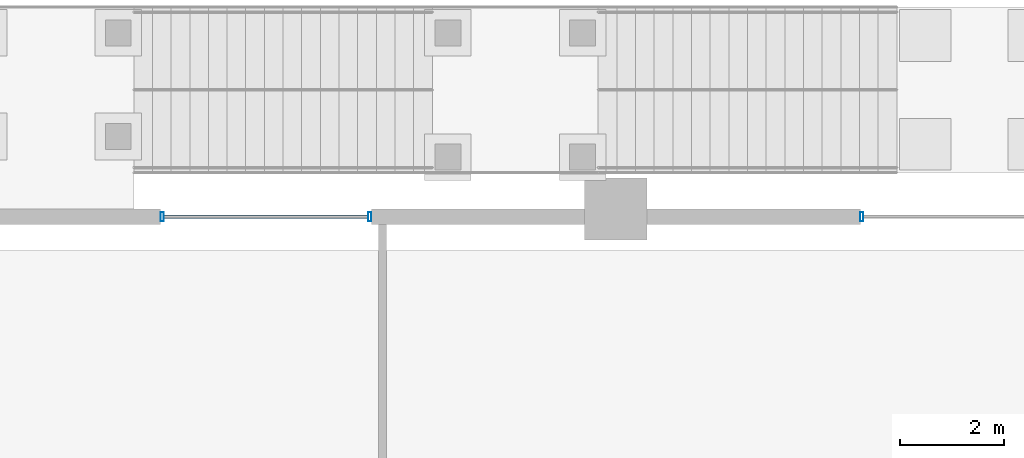
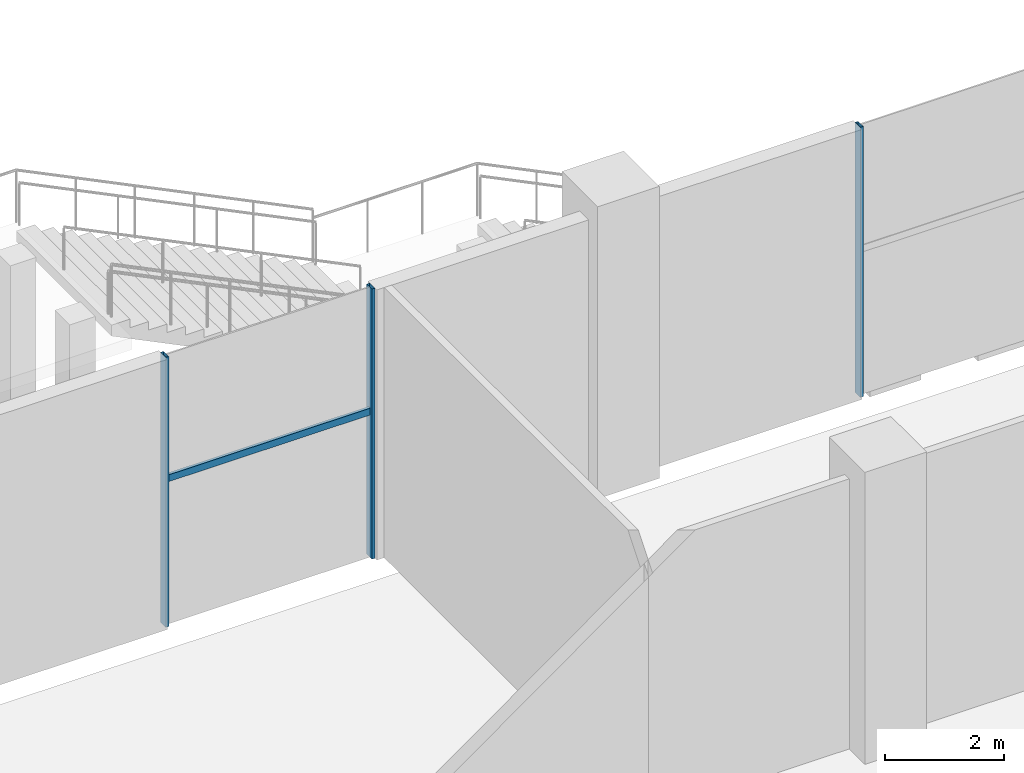
# One storey, part 14 of 68: 4 members, 2 elements without a shape of their own.
"""IFC4 building model written with IfcOpenShell, lengths in metres."""

from ifc_helpers import new_model, si_unit, direction, frame, origin, origin_2d, place, context, subcontext, project, spatial, hollow_rectangle, extrude, material, material_profile, profile_set, type_object, element, aggregate, save


model = new_model("IFC4")

# Units and contexts
model_context = context("Model", 3, precision=1e-05, world=origin(), true_north=direction((0.0, 1.0)))
body_context = subcontext(model_context, "Body", "Model", "MODEL_VIEW")
ifc_project = project(units=[si_unit("LENGTHUNIT", "METRE"), si_unit("AREAUNIT", "SQUARE_METRE"), si_unit("VOLUMEUNIT", "CUBIC_METRE"), si_unit("PLANEANGLEUNIT", "RADIAN"), si_unit("MASSUNIT", "GRAM", prefix="KILO")], contexts=[model_context])

# Site, building, storey
site_placement = place(None, origin())
site = spatial("IfcSite", under=ifc_project, at=site_placement, CompositionType="ELEMENT")
building_placement = place(site_placement, origin())
building = spatial("IfcBuilding", under=site, at=building_placement, Name="Altepetl Exchange Towers", CompositionType="ELEMENT")
storey_placement = place(building_placement, origin())
storey = spatial("IfcBuildingStorey", under=building, at=storey_placement, Name="L00 Ground concourse", CompositionType="ELEMENT", Elevation=0.0)

# Curtain wall, member
ifc_material_1 = material(Name="Aluminium 6063-T6 glazing", Category="aluminium")
curtain_wall_type = type_object("IfcCurtainWallType", Name="Podium storefront system", PredefinedType="NOTDEFINED", material=ifc_material_1)
curtain_wall_1_placement = place(storey_placement, origin())
curtain_wall_1 = element("IfcCurtainWall", 1, at=curtain_wall_1_placement, inside=storey, type_object=curtain_wall_type, Name="CW5 run", PredefinedType="NOTDEFINED")
ifc_material_2 = material(Name="Aluminium 6063-T6", Category="aluminium")
ifc_material_profile_1 = material_profile(ifc_material_2, hollow_rectangle(XDim=0.06005859375, YDim=0.175048828125, WallThickness=0.0029296875, at=origin_2d()), Name="Mullion 60x175 aluminium")
ifc_profile_set_1 = profile_set([ifc_material_profile_1], Name="Aluminium 6063-T6")
member_type_1 = type_object("IfcMemberType", Name="Mullion 60x175 aluminium", PredefinedType="MULLION", material=ifc_profile_set_1)
member_1_placement = place(storey_placement, frame((54.24658203125, 98.85009765625, 0.0), z_axis=(0.0, 0.0, 1.0), x_axis=(-1.0, 0.0, 0.0)))
member_1 = element("IfcMember", 2, at=member_1_placement, type_object=member_type_1, Name="MU4 mullion", PredefinedType="MULLION", context=body_context, shape_type="SweptSolid", body=[
    extrude(hollow_rectangle(XDim=0.06005859375, YDim=0.175048828125, WallThickness=0.0029296875, at=origin_2d()), origin(), (0.0, 0.0, 1.0), 5.550048828125),
])
aggregate(curtain_wall_1, [member_1])

# Curtain wall, members
curtain_wall_2_placement = place(storey_placement, origin())
curtain_wall_2 = element("IfcCurtainWall", 3, at=curtain_wall_2_placement, inside=storey, type_object=curtain_wall_type, Name="CW5 run", PredefinedType="NOTDEFINED")
member_2_placement = place(storey_placement, frame((44.75341796875, 98.85009765625, 0.0), z_axis=(0.0, 0.0, 1.0), x_axis=(-1.0, 0.0, 0.0)))
member_2 = element("IfcMember", 4, at=member_2_placement, type_object=member_type_1, Name="MU4 mullion", PredefinedType="MULLION", context=body_context, shape_type="SweptSolid", body=[
    extrude(hollow_rectangle(XDim=0.06005859375, YDim=0.175048828125, WallThickness=0.0029296875, at=origin_2d()), origin(), (0.0, 0.0, 1.0), 5.550048828125),
])
member_3_placement = place(storey_placement, frame((40.74658203125, 98.85009765625, 0.0), z_axis=(0.0, 0.0, 1.0), x_axis=(-1.0, 0.0, 0.0)))
member_3 = element("IfcMember", 5, at=member_3_placement, type_object=member_type_1, Name="MU4 mullion", PredefinedType="MULLION", context=body_context, shape_type="SweptSolid", body=[
    extrude(hollow_rectangle(XDim=0.06005859375, YDim=0.175048828125, WallThickness=0.0029296875, at=origin_2d()), origin(), (0.0, 0.0, 1.0), 5.550048828125),
])
ifc_material_profile_2 = material_profile(ifc_material_2, hollow_rectangle(XDim=0.06005859375, YDim=0.139892578125, WallThickness=0.0029296875, at=origin_2d()), Name="Transom 60x140 aluminium")
ifc_profile_set_2 = profile_set([ifc_material_profile_2], Name="Aluminium 6063-T6")
member_type_2 = type_object("IfcMemberType", Name="Transom 60x140 aluminium", PredefinedType="USERDEFINED", material=ifc_profile_set_2)
member_4_placement = place(storey_placement, frame((44.723388671875, 98.85009765625, 3.0), z_axis=(-1.0, 0.0, 0.0), x_axis=(0.0, -1.0, 0.0)))
member_4 = element("IfcMember", 6, at=member_4_placement, type_object=member_type_2, Name="TR3 transom", ObjectType="TRANSOM", PredefinedType="USERDEFINED", context=body_context, shape_type="SweptSolid", body=[
    extrude(hollow_rectangle(XDim=0.06005859375, YDim=0.139892578125, WallThickness=0.0029296875, at=origin_2d()), origin(), (0.0, 0.0, 1.0), 3.94677734375),
])
aggregate(curtain_wall_2, [member_2, member_3, member_4])

save(model, "model.ifc")
